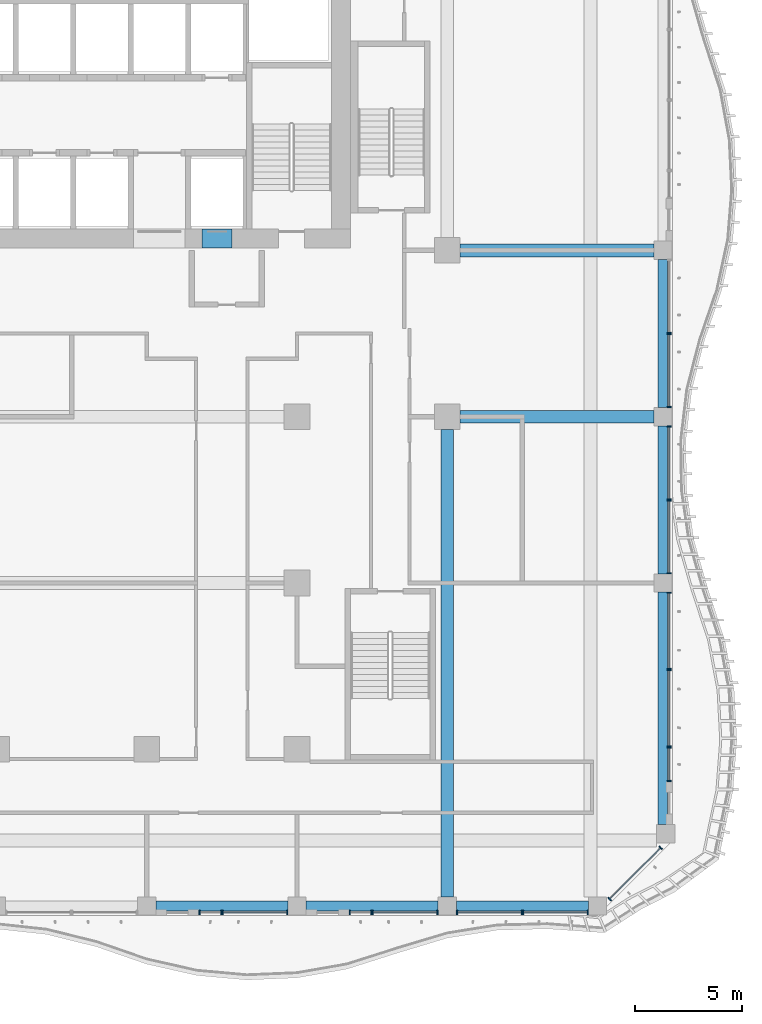
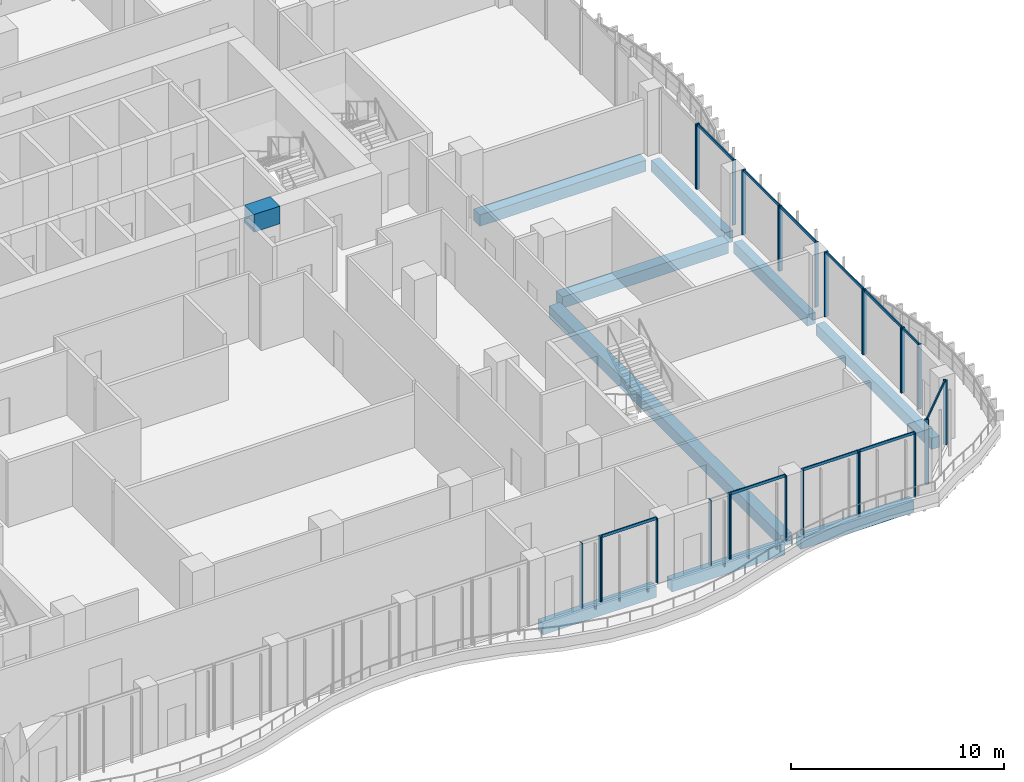
# One storey, part 6 of 26: 38 members, 10 beams, 14 elements without a shape of their own.
"""IFC4 building model written with IfcOpenShell, lengths in metres."""

from ifc_helpers import new_model, si_unit, direction, frame, origin, origin_2d, place, context, subcontext, project, spatial, rectangle, extrude, source, transform, mapped, material, material_profile, profile_set, type_object, element, aggregate, save


model = new_model("IFC4")

# Units and contexts
model_context = context("Model", 3, precision=1e-05, world=origin(), true_north=direction((0.0, 1.0)))
body_context = subcontext(model_context, "Body", "Model", "MODEL_VIEW")
ifc_project = project(units=[si_unit("LENGTHUNIT", "METRE"), si_unit("AREAUNIT", "SQUARE_METRE"), si_unit("VOLUMEUNIT", "CUBIC_METRE"), si_unit("PLANEANGLEUNIT", "RADIAN"), si_unit("MASSUNIT", "GRAM", prefix="KILO")], contexts=[model_context])

# Site, building, storey
site_placement = place(None, origin())
site = spatial("IfcSite", under=ifc_project, at=site_placement, CompositionType="ELEMENT")
building_placement = place(site_placement, origin())
building = spatial("IfcBuilding", under=site, at=building_placement, Name="Kilnfold Tower and Market Hall", CompositionType="ELEMENT")
storey_placement = place(building_placement, frame((0.0, 0.0, 104.60009765625)))
storey = spatial("IfcBuildingStorey", under=building, at=storey_placement, Name="L24", CompositionType="ELEMENT", Elevation=104.60009765625)

# Beams
ifc_material_1 = material(Name="Concrete C70", Category="concrete")
ifc_material_profile_1 = material_profile(ifc_material_1, rectangle(XDim=0.89990234375, YDim=1.02001953125, at=origin_2d()), Name="RC 900x1020")
ifc_profile_set_1 = profile_set([ifc_material_profile_1], Name="Concrete C70")
beam_type_1 = type_object("IfcBeamType", Name="COUPLING BEAM 900X1020 C70", PredefinedType="BEAM", material=ifc_profile_set_1)
shared_shape_1 = source(origin(), body_context, "Body", "SweptSolid", [
    extrude(rectangle(XDim=0.89990234375, YDim=1.02001953125, at=origin_2d()), origin(), (0.0, 0.0, 1.0), 1.39990234375),
])
beam_1_placement = place(storey_placement, frame((11.070068359375, 8.550048828125, 3.2099609375), z_axis=(1.0, 0.0, 0.0), x_axis=(0.0, 1.0, 0.0)))
element("IfcBeam", 1, at=beam_1_placement, inside=storey, type_object=beam_type_1, Name="Coupling beam CB1020-70-CORE.43", PredefinedType="BEAM", context=body_context, shape_type="MappedRepresentation", body=[
    mapped(shared_shape_1, transform((0.0, 0.0, 0.0))),
])
ifc_material_2 = material(Name="Concrete C45", Category="concrete")
ifc_material_profile_2 = material_profile(ifc_material_2, rectangle(XDim=0.449951171875, YDim=0.64990234375, at=origin_2d()), Name="RC 450x650")
ifc_profile_set_2 = profile_set([ifc_material_profile_2], Name="Concrete C45")
beam_type_2 = type_object("IfcBeamType", Name="EDGE BEAM 450X650 C45", PredefinedType="BEAM", material=ifc_profile_set_2)
shared_shape_2 = source(origin(), body_context, "Body", "SweptSolid", [
    extrude(rectangle(XDim=0.449951171875, YDim=0.64990234375, at=origin_2d()), origin(), (0.0, 0.0, 1.0), 6.14990234375),
])
for number, where, z_axis, x_axis, name in (
    (2, (8.925048828125, -22.550048828125, -0.60498046875), (1.0, 0.0, 0.0), (0.0, 1.0, 0.0), "Beam EB650-B3.56"),
    (3, (15.925048828125, -22.550048828125, -0.60498046875), (1.0, 0.0, 0.0), (0.0, 1.0, 0.0), "Beam EB650-B3.57"),
    (4, (22.925048828125, -22.550048828125, -0.60498046875), (1.0, 0.0, 0.0), (0.0, 1.0, 0.0), "Beam EB650-B3.58"),
):
    element("IfcBeam", number, at=place(storey_placement, frame(where, z_axis=z_axis, x_axis=x_axis)), inside=storey, type_object=beam_type_2, Name=name, PredefinedType="BEAM", context=body_context, shape_type="MappedRepresentation", body=[
        mapped(shared_shape_2, transform((0.0, 0.0, 0.0))),
    ])
ifc_material_3 = material(Name="Concrete C45", Category="concrete")
ifc_material_profile_3 = material_profile(ifc_material_3, rectangle(XDim=0.60009765625, YDim=0.64990234375, at=origin_2d()), Name="RC 600x650")
ifc_profile_set_3 = profile_set([ifc_material_profile_3], Name="Concrete C45")
beam_type_3 = type_object("IfcBeamType", Name="BEAM 600X650 C45", PredefinedType="BEAM", material=ifc_profile_set_3)
shared_shape_3 = source(origin(), body_context, "Body", "SweptSolid", [
    extrude(rectangle(XDim=0.60009765625, YDim=0.64990234375, at=origin_2d()), origin(), (0.0, 0.0, 1.0), 9.02490234375),
])
for number, where, z_axis, x_axis, name in (
    (5, (23.10009765625, 0.25, -0.60498046875), (1.0, 0.0, 0.0), (0.0, 1.0, 0.0), "Beam BB650-B3.63"),
    (6, (23.10009765625, 8.0, -0.60498046875), (1.0, 0.0, 0.0), (0.0, 1.0, 0.0), "Beam BB650-B3.64"),
):
    element("IfcBeam", number, at=place(storey_placement, frame(where, z_axis=z_axis, x_axis=x_axis)), inside=storey, type_object=beam_type_3, Name=name, PredefinedType="BEAM", context=body_context, shape_type="MappedRepresentation", body=[
        mapped(shared_shape_3, transform((0.0, 0.0, 0.0))),
    ])
shared_shape_4 = source(origin(), body_context, "Body", "SweptSolid", [
    extrude(rectangle(XDim=0.449951171875, YDim=0.64990234375, at=origin_2d()), origin(), (0.0, 0.0, 1.0), 6.89990234375),
])
for number, where, z_axis, x_axis, name in (
    (7, (32.550048828125, -7.074951171875, -0.60498046875), (0.0, 1.0, 0.0), (-1.0, 0.0, 0.0), "Beam EB650-B3.84"),
    (8, (32.550048828125, 0.675048828125, -0.60498046875), (0.0, 1.0, 0.0), (-1.0, 0.0, 0.0), "Beam EB650-B3.85"),
):
    element("IfcBeam", number, at=place(storey_placement, frame(where, z_axis=z_axis, x_axis=x_axis)), inside=storey, type_object=beam_type_2, Name=name, PredefinedType="BEAM", context=body_context, shape_type="MappedRepresentation", body=[
        mapped(shared_shape_4, transform((0.0, 0.0, 0.0))),
    ])
shared_shape_5 = source(origin(), body_context, "Body", "SweptSolid", [
    extrude(rectangle(XDim=0.60009765625, YDim=0.64990234375, at=origin_2d()), origin(), (0.0, 0.0, 1.0), 21.77490234375),
])
beam_2_placement = place(storey_placement, frame((22.5, -22.125, -0.60498046875), z_axis=(0.0, 1.0, 0.0), x_axis=(-1.0, 0.0, 0.0)))
element("IfcBeam", 9, at=beam_2_placement, inside=storey, type_object=beam_type_3, Name="Beam BB650-B3.80", PredefinedType="BEAM", context=body_context, shape_type="MappedRepresentation", body=[
    mapped(shared_shape_5, transform((0.0, 0.0, 0.0))),
])
shared_shape_6 = source(origin(), body_context, "Body", "SweptSolid", [
    extrude(rectangle(XDim=0.449951171875, YDim=0.64990234375, at=origin_2d()), origin(), (0.0, 0.0, 1.0), 10.831787109375),
])
beam_3_placement = place(storey_placement, frame((32.550048828125, -18.7568359375, -0.60498046875), z_axis=(0.0, 1.0, 0.0), x_axis=(-1.0, 0.0, 0.0)))
element("IfcBeam", 10, at=beam_3_placement, inside=storey, type_object=beam_type_2, Name="Beam EB650-B3.83", PredefinedType="BEAM", context=body_context, shape_type="MappedRepresentation", body=[
    mapped(shared_shape_6, transform((0.0, 0.0, 0.0))),
])

# Curtain wall, members
ifc_material_4 = material(Name="Aluminium and double glazing", Category="aluminium")
curtain_wall_type = type_object("IfcCurtainWallType", Name="CW OF2 VALLEY GLAZING", PredefinedType="NOTDEFINED", material=ifc_material_4)
curtain_wall_1_placement = place(storey_placement, origin())
curtain_wall_1 = element("IfcCurtainWall", 11, at=curtain_wall_1_placement, inside=storey, type_object=curtain_wall_type, Name="Curtain wall CW2 L24 S", PredefinedType="NOTDEFINED")
ifc_material_5 = material(Name="Aluminium", Category="aluminium")
ifc_material_profile_4 = material_profile(ifc_material_5, rectangle(XDim=0.06005859375, YDim=0.199951171875, at=origin_2d()), Name="MULLION 60x200")
ifc_profile_set_4 = profile_set([ifc_material_profile_4], Name="Aluminium")
member_type_1 = type_object("IfcMemberType", Name="MULLION 60X200", PredefinedType="MULLION", material=ifc_profile_set_4)
shared_shape_7 = source(origin(), body_context, "Body", "SweptSolid", [
    extrude(rectangle(XDim=0.06005859375, YDim=0.199951171875, at=origin_2d()), origin(), (0.0, 0.0, 1.0), 3.719970703125),
])
member_1_placement = place(storey_placement, frame((10.955078125, -22.85009765625, 0.0), z_axis=(0.0, 0.0, 1.0), x_axis=(1.0, 0.0, 0.0)))
member_1 = element("IfcMember", 12, at=member_1_placement, type_object=member_type_1, Name="CW2 mullion 1", PredefinedType="MULLION", context=body_context, shape_type="MappedRepresentation", body=[
    mapped(shared_shape_7, transform((0.0, 0.0, 0.0))),
])
member_2_placement = place(storey_placement, frame((11.969970703125, -22.85009765625, 0.0), z_axis=(0.0, 0.0, 1.0), x_axis=(1.0, 0.0, 0.0)))
member_2 = element("IfcMember", 13, at=member_2_placement, type_object=member_type_1, Name="CW2 mullion 2", PredefinedType="MULLION", context=body_context, shape_type="MappedRepresentation", body=[
    mapped(shared_shape_7, transform((0.0, 0.0, 0.0))),
])
aggregate(curtain_wall_1, [member_1, member_2])

curtain_wall_2_placement = place(storey_placement, origin())
curtain_wall_2 = element("IfcCurtainWall", 14, at=curtain_wall_2_placement, inside=storey, type_object=curtain_wall_type, Name="Curtain wall CW2 L24 S", PredefinedType="NOTDEFINED")
member_3_placement = place(storey_placement, frame((12.030029296875, -22.85009765625, 0.0), z_axis=(0.0, 0.0, 1.0), x_axis=(1.0, 0.0, 0.0)))
member_3 = element("IfcMember", 15, at=member_3_placement, type_object=member_type_1, Name="CW2 mullion 1", PredefinedType="MULLION", context=body_context, shape_type="MappedRepresentation", body=[
    mapped(shared_shape_7, transform((0.0, 0.0, 0.0))),
])
member_4_placement = place(storey_placement, frame((15.044921875, -22.85009765625, 0.0), z_axis=(0.0, 0.0, 1.0), x_axis=(1.0, 0.0, 0.0)))
member_4 = element("IfcMember", 16, at=member_4_placement, type_object=member_type_1, Name="CW2 mullion 2", PredefinedType="MULLION", context=body_context, shape_type="MappedRepresentation", body=[
    mapped(shared_shape_7, transform((0.0, 0.0, 0.0))),
])

curtain_wall_3_placement = place(storey_placement, origin())
curtain_wall_3 = element("IfcCurtainWall", 17, at=curtain_wall_3_placement, inside=storey, type_object=curtain_wall_type, Name="Curtain wall CW2 L24 S", PredefinedType="NOTDEFINED")
member_5_placement = place(storey_placement, frame((17.955078125, -22.85009765625, 0.0), z_axis=(0.0, 0.0, 1.0), x_axis=(1.0, 0.0, 0.0)))
member_5 = element("IfcMember", 18, at=member_5_placement, type_object=member_type_1, Name="CW2 mullion 1", PredefinedType="MULLION", context=body_context, shape_type="MappedRepresentation", body=[
    mapped(shared_shape_7, transform((0.0, 0.0, 0.0))),
])
member_6_placement = place(storey_placement, frame((18.969970703125, -22.85009765625, 0.0), z_axis=(0.0, 0.0, 1.0), x_axis=(1.0, 0.0, 0.0)))
member_6 = element("IfcMember", 19, at=member_6_placement, type_object=member_type_1, Name="CW2 mullion 2", PredefinedType="MULLION", context=body_context, shape_type="MappedRepresentation", body=[
    mapped(shared_shape_7, transform((0.0, 0.0, 0.0))),
])
aggregate(curtain_wall_3, [member_5, member_6])

curtain_wall_4_placement = place(storey_placement, origin())
curtain_wall_4 = element("IfcCurtainWall", 20, at=curtain_wall_4_placement, inside=storey, type_object=curtain_wall_type, Name="Curtain wall CW2 L24 S", PredefinedType="NOTDEFINED")
member_7_placement = place(storey_placement, frame((19.030029296875, -22.85009765625, 0.0), z_axis=(0.0, 0.0, 1.0), x_axis=(1.0, 0.0, 0.0)))
member_7 = element("IfcMember", 21, at=member_7_placement, type_object=member_type_1, Name="CW2 mullion 1", PredefinedType="MULLION", context=body_context, shape_type="MappedRepresentation", body=[
    mapped(shared_shape_7, transform((0.0, 0.0, 0.0))),
])
member_8_placement = place(storey_placement, frame((22.044921875, -22.85009765625, 0.0), z_axis=(0.0, 0.0, 1.0), x_axis=(1.0, 0.0, 0.0)))
member_8 = element("IfcMember", 22, at=member_8_placement, type_object=member_type_1, Name="CW2 mullion 2", PredefinedType="MULLION", context=body_context, shape_type="MappedRepresentation", body=[
    mapped(shared_shape_7, transform((0.0, 0.0, 0.0))),
])

curtain_wall_5_placement = place(storey_placement, origin())
curtain_wall_5 = element("IfcCurtainWall", 23, at=curtain_wall_5_placement, inside=storey, type_object=curtain_wall_type, Name="Curtain wall CW2 L24 S", PredefinedType="NOTDEFINED")
member_9_placement = place(storey_placement, frame((22.955078125, -22.85009765625, 0.0), z_axis=(0.0, 0.0, 1.0), x_axis=(1.0, 0.0, 0.0)))
member_9 = element("IfcMember", 24, at=member_9_placement, type_object=member_type_1, Name="CW2 mullion 1", PredefinedType="MULLION", context=body_context, shape_type="MappedRepresentation", body=[
    mapped(shared_shape_7, transform((0.0, 0.0, 0.0))),
])
member_10_placement = place(storey_placement, frame((25.969970703125, -22.85009765625, 0.0), z_axis=(0.0, 0.0, 1.0), x_axis=(1.0, 0.0, 0.0)))
member_10 = element("IfcMember", 25, at=member_10_placement, type_object=member_type_1, Name="CW2 mullion 2", PredefinedType="MULLION", context=body_context, shape_type="MappedRepresentation", body=[
    mapped(shared_shape_7, transform((0.0, 0.0, 0.0))),
])

curtain_wall_6_placement = place(storey_placement, origin())
curtain_wall_6 = element("IfcCurtainWall", 26, at=curtain_wall_6_placement, inside=storey, type_object=curtain_wall_type, Name="Curtain wall CW2 L24 S", PredefinedType="NOTDEFINED")
member_11_placement = place(storey_placement, frame((26.030029296875, -22.85009765625, 0.0), z_axis=(0.0, 0.0, 1.0), x_axis=(1.0, 0.0, 0.0)))
member_11 = element("IfcMember", 27, at=member_11_placement, type_object=member_type_1, Name="CW2 mullion 1", PredefinedType="MULLION", context=body_context, shape_type="MappedRepresentation", body=[
    mapped(shared_shape_7, transform((0.0, 0.0, 0.0))),
])
member_12_placement = place(storey_placement, frame((29.044921875, -22.85009765625, 0.0), z_axis=(0.0, 0.0, 1.0), x_axis=(1.0, 0.0, 0.0)))
member_12 = element("IfcMember", 28, at=member_12_placement, type_object=member_type_1, Name="CW2 mullion 2", PredefinedType="MULLION", context=body_context, shape_type="MappedRepresentation", body=[
    mapped(shared_shape_7, transform((0.0, 0.0, 0.0))),
])

curtain_wall_7_placement = place(storey_placement, origin())
curtain_wall_7 = element("IfcCurtainWall", 29, at=curtain_wall_7_placement, inside=storey, type_object=curtain_wall_type, Name="Curtain wall CW2 L24 SE", PredefinedType="NOTDEFINED")
member_13_placement = place(storey_placement, frame((30.065185546875, -22.222900390625, 0.0), z_axis=(0.0, 0.0, 1.0), x_axis=(0.707092201815, 0.707121360258, 0.0)))
member_13 = element("IfcMember", 30, at=member_13_placement, type_object=member_type_1, Name="CW2 mullion 1", PredefinedType="MULLION", context=body_context, shape_type="MappedRepresentation", body=[
    mapped(shared_shape_7, transform((0.0, 0.0, 0.0))),
])
member_14_placement = place(storey_placement, frame((32.44775390625, -19.840087890625, 0.0), z_axis=(0.0, 0.0, 1.0), x_axis=(0.707092201815, 0.707121360258, 0.0)))
member_14 = element("IfcMember", 31, at=member_14_placement, type_object=member_type_1, Name="CW2 mullion 2", PredefinedType="MULLION", context=body_context, shape_type="MappedRepresentation", body=[
    mapped(shared_shape_7, transform((0.0, 0.0, 0.0))),
])

curtain_wall_8_placement = place(storey_placement, origin())
curtain_wall_8 = element("IfcCurtainWall", 32, at=curtain_wall_8_placement, inside=storey, type_object=curtain_wall_type, Name="Curtain wall CW2 L24 E", PredefinedType="NOTDEFINED")
member_15_placement = place(storey_placement, frame((32.85009765625, -16.726806640625, 0.0), z_axis=(0.0, 0.0, 1.0), x_axis=(0.0, 1.0, 0.0)))
member_15 = element("IfcMember", 33, at=member_15_placement, type_object=member_type_1, Name="CW2 mullion 1", PredefinedType="MULLION", context=body_context, shape_type="MappedRepresentation", body=[
    mapped(shared_shape_7, transform((0.0, 0.0, 0.0))),
])
member_16_placement = place(storey_placement, frame((32.85009765625, -15.17626953125, 0.0), z_axis=(0.0, 0.0, 1.0), x_axis=(0.0, 1.0, 0.0)))
member_16 = element("IfcMember", 34, at=member_16_placement, type_object=member_type_1, Name="CW2 mullion 2", PredefinedType="MULLION", context=body_context, shape_type="MappedRepresentation", body=[
    mapped(shared_shape_7, transform((0.0, 0.0, 0.0))),
])

curtain_wall_9_placement = place(storey_placement, origin())
curtain_wall_9 = element("IfcCurtainWall", 35, at=curtain_wall_9_placement, inside=storey, type_object=curtain_wall_type, Name="Curtain wall CW2 L24 E", PredefinedType="NOTDEFINED")
member_17_placement = place(storey_placement, frame((32.85009765625, -15.1162109375, 0.0), z_axis=(0.0, 0.0, 1.0), x_axis=(0.0, 1.0, 0.0)))
member_17 = element("IfcMember", 36, at=member_17_placement, type_object=member_type_1, Name="CW2 mullion 1", PredefinedType="MULLION", context=body_context, shape_type="MappedRepresentation", body=[
    mapped(shared_shape_7, transform((0.0, 0.0, 0.0))),
])
member_18_placement = place(storey_placement, frame((32.85009765625, -11.565673828125, 0.0), z_axis=(0.0, 0.0, 1.0), x_axis=(0.0, 1.0, 0.0)))
member_18 = element("IfcMember", 37, at=member_18_placement, type_object=member_type_1, Name="CW2 mullion 2", PredefinedType="MULLION", context=body_context, shape_type="MappedRepresentation", body=[
    mapped(shared_shape_7, transform((0.0, 0.0, 0.0))),
])

curtain_wall_10_placement = place(storey_placement, origin())
curtain_wall_10 = element("IfcCurtainWall", 38, at=curtain_wall_10_placement, inside=storey, type_object=curtain_wall_type, Name="Curtain wall CW2 L24 E", PredefinedType="NOTDEFINED")
member_19_placement = place(storey_placement, frame((32.85009765625, -11.505615234375, 0.0), z_axis=(0.0, 0.0, 1.0), x_axis=(0.0, 1.0, 0.0)))
member_19 = element("IfcMember", 39, at=member_19_placement, type_object=member_type_1, Name="CW2 mullion 1", PredefinedType="MULLION", context=body_context, shape_type="MappedRepresentation", body=[
    mapped(shared_shape_7, transform((0.0, 0.0, 0.0))),
])
member_20_placement = place(storey_placement, frame((32.85009765625, -7.955078125, 0.0), z_axis=(0.0, 0.0, 1.0), x_axis=(0.0, 1.0, 0.0)))
member_20 = element("IfcMember", 40, at=member_20_placement, type_object=member_type_1, Name="CW2 mullion 2", PredefinedType="MULLION", context=body_context, shape_type="MappedRepresentation", body=[
    mapped(shared_shape_7, transform((0.0, 0.0, 0.0))),
])

curtain_wall_11_placement = place(storey_placement, origin())
curtain_wall_11 = element("IfcCurtainWall", 41, at=curtain_wall_11_placement, inside=storey, type_object=curtain_wall_type, Name="Curtain wall CW2 L24 E", PredefinedType="NOTDEFINED")
member_21_placement = place(storey_placement, frame((32.85009765625, -7.044921875, 0.0), z_axis=(0.0, 0.0, 1.0), x_axis=(0.0, 1.0, 0.0)))
member_21 = element("IfcMember", 42, at=member_21_placement, type_object=member_type_1, Name="CW2 mullion 1", PredefinedType="MULLION", context=body_context, shape_type="MappedRepresentation", body=[
    mapped(shared_shape_7, transform((0.0, 0.0, 0.0))),
])
member_22_placement = place(storey_placement, frame((32.85009765625, -3.655029296875, 0.0), z_axis=(0.0, 0.0, 1.0), x_axis=(0.0, 1.0, 0.0)))
member_22 = element("IfcMember", 43, at=member_22_placement, type_object=member_type_1, Name="CW2 mullion 2", PredefinedType="MULLION", context=body_context, shape_type="MappedRepresentation", body=[
    mapped(shared_shape_7, transform((0.0, 0.0, 0.0))),
])

curtain_wall_12_placement = place(storey_placement, origin())
curtain_wall_12 = element("IfcCurtainWall", 44, at=curtain_wall_12_placement, inside=storey, type_object=curtain_wall_type, Name="Curtain wall CW2 L24 E", PredefinedType="NOTDEFINED")
member_23_placement = place(storey_placement, frame((32.85009765625, -3.594970703125, 0.0), z_axis=(0.0, 0.0, 1.0), x_axis=(0.0, 1.0, 0.0)))
member_23 = element("IfcMember", 45, at=member_23_placement, type_object=member_type_1, Name="CW2 mullion 1", PredefinedType="MULLION", context=body_context, shape_type="MappedRepresentation", body=[
    mapped(shared_shape_7, transform((0.0, 0.0, 0.0))),
])
member_24_placement = place(storey_placement, frame((32.85009765625, -0.205078125, 0.0), z_axis=(0.0, 0.0, 1.0), x_axis=(0.0, 1.0, 0.0)))
member_24 = element("IfcMember", 46, at=member_24_placement, type_object=member_type_1, Name="CW2 mullion 2", PredefinedType="MULLION", context=body_context, shape_type="MappedRepresentation", body=[
    mapped(shared_shape_7, transform((0.0, 0.0, 0.0))),
])

curtain_wall_13_placement = place(storey_placement, origin())
curtain_wall_13 = element("IfcCurtainWall", 47, at=curtain_wall_13_placement, inside=storey, type_object=curtain_wall_type, Name="Curtain wall CW2 L24 E", PredefinedType="NOTDEFINED")
member_25_placement = place(storey_placement, frame((32.85009765625, 0.705078125, 0.0), z_axis=(0.0, 0.0, 1.0), x_axis=(0.0, 1.0, 0.0)))
member_25 = element("IfcMember", 48, at=member_25_placement, type_object=member_type_1, Name="CW2 mullion 1", PredefinedType="MULLION", context=body_context, shape_type="MappedRepresentation", body=[
    mapped(shared_shape_7, transform((0.0, 0.0, 0.0))),
])
member_26_placement = place(storey_placement, frame((32.85009765625, 4.094970703125, 0.0), z_axis=(0.0, 0.0, 1.0), x_axis=(0.0, 1.0, 0.0)))
member_26 = element("IfcMember", 49, at=member_26_placement, type_object=member_type_1, Name="CW2 mullion 2", PredefinedType="MULLION", context=body_context, shape_type="MappedRepresentation", body=[
    mapped(shared_shape_7, transform((0.0, 0.0, 0.0))),
])

# Curtain wall, member
curtain_wall_14_placement = place(storey_placement, origin())
curtain_wall_14 = element("IfcCurtainWall", 50, at=curtain_wall_14_placement, inside=storey, type_object=curtain_wall_type, Name="Curtain wall CW2 L24 E", PredefinedType="NOTDEFINED")
member_27_placement = place(storey_placement, frame((32.85009765625, 4.155029296875, 0.0), z_axis=(0.0, 0.0, 1.0), x_axis=(0.0, 1.0, 0.0)))
member_27 = element("IfcMember", 51, at=member_27_placement, type_object=member_type_1, Name="CW2 mullion 1", PredefinedType="MULLION", context=body_context, shape_type="MappedRepresentation", body=[
    mapped(shared_shape_7, transform((0.0, 0.0, 0.0))),
])
aggregate(curtain_wall_14, [member_27])

# Member
ifc_material_6 = material(Name="Aluminium", Category="aluminium")
ifc_material_profile_5 = material_profile(ifc_material_6, rectangle(XDim=0.06005859375, YDim=0.159912109375, at=origin_2d()), Name="TRANSOM 60x160")
ifc_profile_set_5 = profile_set([ifc_material_profile_5], Name="Aluminium")
member_type_2 = type_object("IfcMemberType", Name="TRANSOM 60X160", PredefinedType="USERDEFINED", material=ifc_profile_set_5)
shared_shape_8 = source(origin(), body_context, "Body", "SweptSolid", [
    extrude(rectangle(XDim=0.06005859375, YDim=0.159912109375, at=origin_2d()), origin(), (0.0, 0.0, 1.0), 2.954833984375),
])
member_28_placement = place(storey_placement, frame((12.06005859375, -22.85009765625, 3.68994140625), z_axis=(1.0, 0.0, 0.0), x_axis=(0.0, 1.0, 0.0)))
member_28 = element("IfcMember", 52, at=member_28_placement, type_object=member_type_2, Name="CW2 transom 1.2", ObjectType="TRANSOM", PredefinedType="USERDEFINED", context=body_context, shape_type="MappedRepresentation", body=[
    mapped(shared_shape_8, transform((0.0, 0.0, 0.0))),
])

aggregate(curtain_wall_2, [member_3, member_4, member_28])

member_29_placement = place(storey_placement, frame((19.06005859375, -22.85009765625, 3.68994140625), z_axis=(1.0, 0.0, 0.0), x_axis=(0.0, 1.0, 0.0)))
member_29 = element("IfcMember", 53, at=member_29_placement, type_object=member_type_2, Name="CW2 transom 1.2", ObjectType="TRANSOM", PredefinedType="USERDEFINED", context=body_context, shape_type="MappedRepresentation", body=[
    mapped(shared_shape_8, transform((0.0, 0.0, 0.0))),
])

aggregate(curtain_wall_4, [member_7, member_8, member_29])

member_30_placement = place(storey_placement, frame((22.985107421875, -22.85009765625, 3.68994140625), z_axis=(1.0, 0.0, 0.0), x_axis=(0.0, 1.0, 0.0)))
member_30 = element("IfcMember", 54, at=member_30_placement, type_object=member_type_2, Name="CW2 transom 1.2", ObjectType="TRANSOM", PredefinedType="USERDEFINED", context=body_context, shape_type="MappedRepresentation", body=[
    mapped(shared_shape_8, transform((0.0, 0.0, 0.0))),
])

aggregate(curtain_wall_5, [member_9, member_10, member_30])

member_31_placement = place(storey_placement, frame((26.06005859375, -22.85009765625, 3.68994140625), z_axis=(1.0, 0.0, 0.0), x_axis=(0.0, 1.0, 0.0)))
member_31 = element("IfcMember", 55, at=member_31_placement, type_object=member_type_2, Name="CW2 transom 1.2", ObjectType="TRANSOM", PredefinedType="USERDEFINED", context=body_context, shape_type="MappedRepresentation", body=[
    mapped(shared_shape_8, transform((0.0, 0.0, 0.0))),
])

aggregate(curtain_wall_6, [member_11, member_12, member_31])

shared_shape_9 = source(origin(), body_context, "Body", "SweptSolid", [
    extrude(rectangle(XDim=0.06005859375, YDim=0.159912109375, at=origin_2d()), origin(), (0.0, 0.0, 1.0), 3.490478515625),
])
member_32_placement = place(storey_placement, frame((32.85009765625, -15.086181640625, 3.68994140625), z_axis=(0.0, 1.0, 0.0), x_axis=(-1.0, 0.0, 0.0)))
member_32 = element("IfcMember", 56, at=member_32_placement, type_object=member_type_2, Name="CW2 transom 1.2", ObjectType="TRANSOM", PredefinedType="USERDEFINED", context=body_context, shape_type="MappedRepresentation", body=[
    mapped(shared_shape_9, transform((0.0, 0.0, 0.0))),
])

aggregate(curtain_wall_9, [member_17, member_18, member_32])

member_33_placement = place(storey_placement, frame((32.85009765625, -11.4755859375, 3.68994140625), z_axis=(0.0, 1.0, 0.0), x_axis=(-1.0, 0.0, 0.0)))
member_33 = element("IfcMember", 57, at=member_33_placement, type_object=member_type_2, Name="CW2 transom 1.2", ObjectType="TRANSOM", PredefinedType="USERDEFINED", context=body_context, shape_type="MappedRepresentation", body=[
    mapped(shared_shape_9, transform((0.0, 0.0, 0.0))),
])

aggregate(curtain_wall_10, [member_19, member_20, member_33])

shared_shape_10 = source(origin(), body_context, "Body", "SweptSolid", [
    extrude(rectangle(XDim=0.06005859375, YDim=0.159912109375, at=origin_2d()), origin(), (0.0, 0.0, 1.0), 3.329833984375),
])
member_34_placement = place(storey_placement, frame((32.85009765625, -7.014892578125, 3.68994140625), z_axis=(0.0, 1.0, 0.0), x_axis=(-1.0, 0.0, 0.0)))
member_34 = element("IfcMember", 58, at=member_34_placement, type_object=member_type_2, Name="CW2 transom 1.2", ObjectType="TRANSOM", PredefinedType="USERDEFINED", context=body_context, shape_type="MappedRepresentation", body=[
    mapped(shared_shape_10, transform((0.0, 0.0, 0.0))),
])

aggregate(curtain_wall_11, [member_21, member_22, member_34])

member_35_placement = place(storey_placement, frame((32.85009765625, -3.56494140625, 3.68994140625), z_axis=(0.0, 1.0, 0.0), x_axis=(-1.0, 0.0, 0.0)))
member_35 = element("IfcMember", 59, at=member_35_placement, type_object=member_type_2, Name="CW2 transom 1.2", ObjectType="TRANSOM", PredefinedType="USERDEFINED", context=body_context, shape_type="MappedRepresentation", body=[
    mapped(shared_shape_10, transform((0.0, 0.0, 0.0))),
])

aggregate(curtain_wall_12, [member_23, member_24, member_35])

member_36_placement = place(storey_placement, frame((32.85009765625, 0.735107421875, 3.68994140625), z_axis=(0.0, 1.0, 0.0), x_axis=(-1.0, 0.0, 0.0)))
member_36 = element("IfcMember", 60, at=member_36_placement, type_object=member_type_2, Name="CW2 transom 1.2", ObjectType="TRANSOM", PredefinedType="USERDEFINED", context=body_context, shape_type="MappedRepresentation", body=[
    mapped(shared_shape_10, transform((0.0, 0.0, 0.0))),
])

aggregate(curtain_wall_13, [member_25, member_26, member_36])

shared_shape_11 = source(origin(), body_context, "Body", "SweptSolid", [
    extrude(rectangle(XDim=0.06005859375, YDim=0.159912109375, at=origin_2d()), origin(), (0.0, 0.0, 1.0), 3.3095703125),
])
member_37_placement = place(storey_placement, frame((30.08642578125, -22.20166015625, 3.68994140625), z_axis=(0.707069896036, 0.707143664413, 0.0), x_axis=(-0.707143664413, 0.707069896036, 0.0)))
member_37 = element("IfcMember", 61, at=member_37_placement, type_object=member_type_2, Name="CW2 transom 1.2", ObjectType="TRANSOM", PredefinedType="USERDEFINED", context=body_context, shape_type="MappedRepresentation", body=[
    mapped(shared_shape_11, transform((0.0, 0.0, 0.0))),
])

aggregate(curtain_wall_7, [member_13, member_14, member_37])

shared_shape_12 = source(origin(), body_context, "Body", "SweptSolid", [
    extrude(rectangle(XDim=0.06005859375, YDim=0.159912109375, at=origin_2d()), origin(), (0.0, 0.0, 1.0), 1.490478515625),
])
member_38_placement = place(storey_placement, frame((32.85009765625, -16.69677734375, 3.68994140625), z_axis=(0.0, 1.0, 0.0), x_axis=(-1.0, 0.0, 0.0)))
member_38 = element("IfcMember", 62, at=member_38_placement, type_object=member_type_2, Name="CW2 transom 1.2", ObjectType="TRANSOM", PredefinedType="USERDEFINED", context=body_context, shape_type="MappedRepresentation", body=[
    mapped(shared_shape_12, transform((0.0, 0.0, 0.0))),
])

aggregate(curtain_wall_8, [member_15, member_16, member_38])

save(model, "model.ifc")
